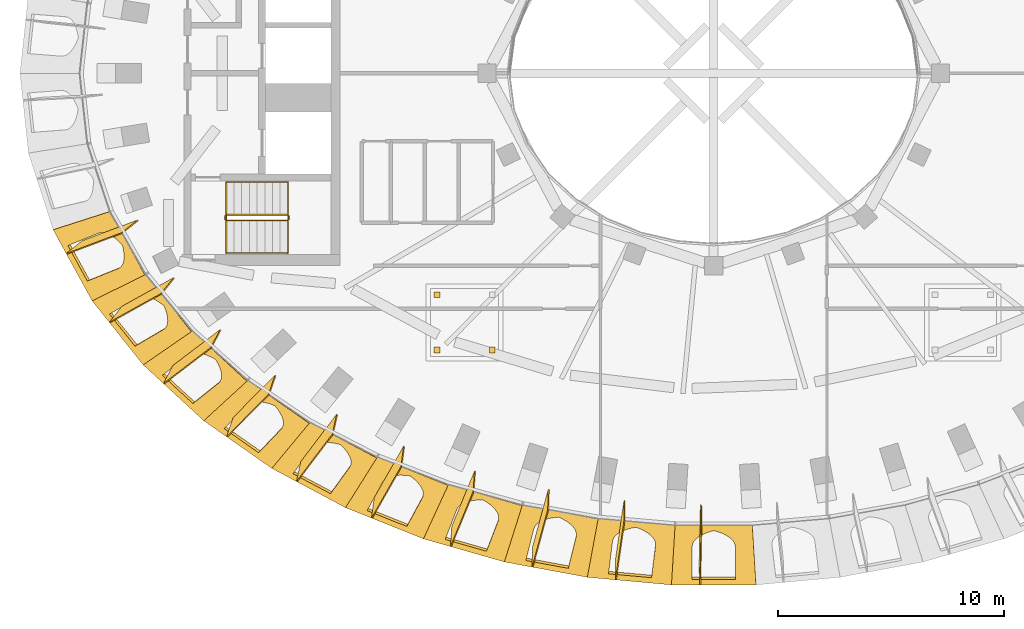
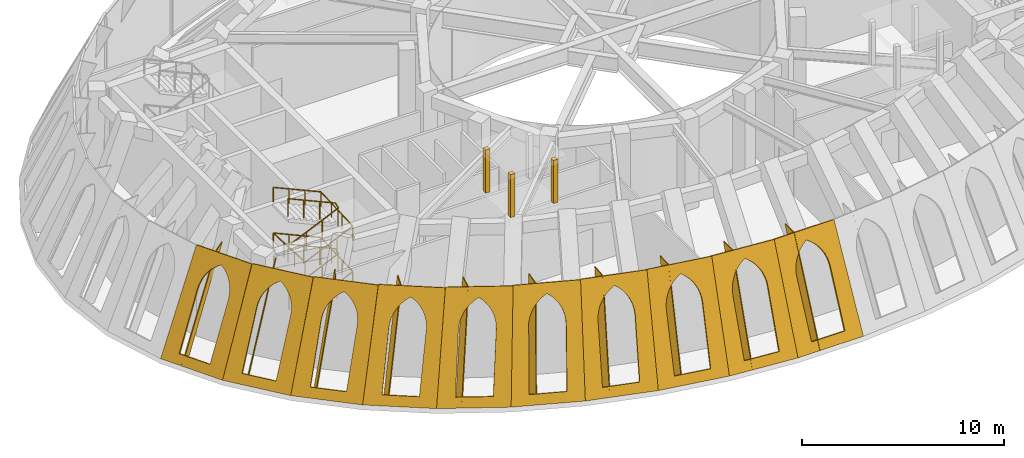
# One storey, part 9 of 13: 23 coverings, 2 railings.
"""IFC4 building model written with IfcOpenShell, lengths in metres."""

from ifc_helpers import new_model, si_unit, direction, frame, origin, origin_2d, place, context, subcontext, project, spatial, polyline, rectangle, outline, extrude, material, layer, layer_set, type_object, element, save


model = new_model("IFC4")

# Units and contexts
model_context = context("Model", 3, precision=1e-05, world=origin(), true_north=direction((0.0, 1.0)))
body_context = subcontext(model_context, "Body", "Model", "MODEL_VIEW")
ifc_project = project(units=[si_unit("LENGTHUNIT", "METRE"), si_unit("AREAUNIT", "SQUARE_METRE"), si_unit("VOLUMEUNIT", "CUBIC_METRE"), si_unit("PLANEANGLEUNIT", "RADIAN"), si_unit("MASSUNIT", "GRAM", prefix="KILO")], contexts=[model_context])

# Site, building, storey
site_placement = place(None, origin())
site = spatial("IfcSite", under=ifc_project, at=site_placement, CompositionType="ELEMENT")
building_placement = place(site_placement, origin())
building = spatial("IfcBuilding", under=site, at=building_placement, Name="Noorbagh Ring Tower", CompositionType="ELEMENT")
storey_placement = place(building_placement, frame((0.0, 0.0, 351.0)))
storey = spatial("IfcBuildingStorey", under=building, at=storey_placement, Name="L77", CompositionType="ELEMENT", Elevation=351.0)

# Railings
ifc_material_1 = material(Name="Stainless steel", Category="steel")
railing_type_1 = type_object("IfcRailingType", Name="CORE-STAIR-GUARD", PredefinedType="GUARDRAIL", material=ifc_material_1)
railing_1_placement = place(storey_placement, frame((-21.580078125, -6.449951171875, 0.0)))
element("IfcRailing", 1, at=railing_1_placement, inside=storey, type_object=railing_type_1, Name="L77 ST2 stair guard", PredefinedType="GUARDRAIL", context=body_context, shape_type="SweptSolid", body=[
    extrude(rectangle(XDim=0.048095703125, YDim=0.048095703125, at=origin_2d()), frame((0.0, 0.0, 1.076171875), z_axis=(0.0, 1.0, 0.0), x_axis=(-1.0, 0.0, 0.0)), (0.0, 0.0, 1.0), 0.14990234375),
    extrude(rectangle(XDim=0.048095703125, YDim=0.048095703125, at=origin_2d()), frame((0.0, 0.14990234375, 1.076171875), z_axis=(0.195046945594, -0.779236333862, 0.595606770449), x_axis=(0.970072785993, 0.242814311512, 0.0)), (0.0, 0.0, 1.0), 0.256591796875),
    extrude(rectangle(XDim=0.048095703125, YDim=0.048095703125, at=origin_2d()), frame((0.050048828125, -0.050048828125, 1.22900390625), z_axis=(0.912149621895, 0.0, 0.409857374312), x_axis=(0.0, 1.0, 0.0)), (0.0, 0.0, 1.0), 2.98193359375),
    extrude(rectangle(XDim=0.048095703125, YDim=0.048095703125, at=origin_2d()), frame((2.77001953125, -0.050048828125, 2.451171875), z_axis=(0.707106781187, 0.707106781187, 0.0), x_axis=(-0.707106781187, 0.707106781187, 0.0)), (0.0, 0.0, 1.0), 0.07080078125),
    extrude(rectangle(XDim=0.048095703125, YDim=0.048095703125, at=origin_2d()), frame((2.820068359375, 0.0, 2.451171875), z_axis=(0.0, 1.0, 0.0), x_axis=(-1.0, 0.0, 0.0)), (0.0, 0.0, 1.0), 0.14990234375),
    extrude(rectangle(XDim=0.048095703125, YDim=0.048095703125, at=origin_2d()), frame((2.820068359375, 0.14990234375, 2.451171875), z_axis=(-0.297155754911, 0.297155754911, 0.90741220768), x_axis=(-0.707106781187, -0.707106781187, 0.0)), (0.0, 0.0, 1.0), 0.16845703125),
    extrude(rectangle(XDim=0.048095703125, YDim=0.048095703125, at=origin_2d()), frame((2.77001953125, 0.199951171875, 2.60400390625), z_axis=(-0.912149621895, 0.0, 0.409857374312), x_axis=(0.0, -1.0, 0.0)), (0.0, 0.0, 1.0), 2.98193359375),
    extrude(rectangle(XDim=0.048095703125, YDim=0.048095703125, at=origin_2d()), frame((0.050048828125, 0.199951171875, 3.826171875), z_axis=(-0.242814311512, -0.970072785993, 0.0), x_axis=(0.970072785993, -0.242814311512, 0.0)), (0.0, 0.0, 1.0), 0.2060546875),
    extrude(rectangle(XDim=0.048095703125, YDim=0.048095703125, at=origin_2d()), frame((0.0, 0.0, 3.826171875), z_axis=(0.0, 1.0, 0.0), x_axis=(-1.0, 0.0, 0.0)), (0.0, 0.0, 1.0), 0.14990234375),
    extrude(rectangle(XDim=0.048095703125, YDim=0.048095703125, at=origin_2d()), frame((0.0, 0.14990234375, 3.826171875), z_axis=(0.195046945594, -0.779236333862, 0.595606770449), x_axis=(0.970072785993, 0.242814311512, 0.0)), (0.0, 0.0, 1.0), 0.256591796875),
    extrude(rectangle(XDim=0.048095703125, YDim=0.048095703125, at=origin_2d()), frame((0.050048828125, -0.050048828125, 3.97900390625), z_axis=(0.912149621895, 0.0, 0.409857374312), x_axis=(0.0, 1.0, 0.0)), (0.0, 0.0, 1.0), 2.98193359375),
    extrude(rectangle(XDim=0.048095703125, YDim=0.048095703125, at=origin_2d()), frame((2.77001953125, -0.050048828125, 5.201171875), z_axis=(0.707106781187, 0.707106781187, 0.0), x_axis=(-0.707106781187, 0.707106781187, 0.0)), (0.0, 0.0, 1.0), 0.07080078125),
    extrude(rectangle(XDim=0.048095703125, YDim=0.048095703125, at=origin_2d()), frame((2.820068359375, 0.0, 5.201171875), z_axis=(0.0, 1.0, 0.0), x_axis=(-1.0, 0.0, 0.0)), (0.0, 0.0, 1.0), 0.14990234375),
    extrude(rectangle(XDim=0.048095703125, YDim=0.048095703125, at=origin_2d()), frame((2.820068359375, 0.14990234375, 5.201171875), z_axis=(-0.297155754911, 0.297155754911, 0.90741220768), x_axis=(-0.707106781187, -0.707106781187, 0.0)), (0.0, 0.0, 1.0), 0.16845703125),
    extrude(rectangle(XDim=0.048095703125, YDim=0.048095703125, at=origin_2d()), frame((2.77001953125, 0.199951171875, 5.35400390625), z_axis=(-0.912149621895, 0.0, 0.409857374312), x_axis=(0.0, -1.0, 0.0)), (0.0, 0.0, 1.0), 2.98193359375),
    extrude(rectangle(XDim=0.0419921875, YDim=0.0419921875, at=origin_2d()), origin(), (0.0, 0.0, 1.0), 1.052001953125),
    extrude(rectangle(XDim=0.0419921875, YDim=0.0419921875, at=origin_2d()), frame((0.956787109375, -0.050048828125, 0.560302734375)), (0.0, 0.0, 1.0), 1.052001953125),
    extrude(rectangle(XDim=0.0419921875, YDim=0.0419921875, at=origin_2d()), frame((1.86328125, -0.050048828125, 0.967529296875)), (0.0, 0.0, 1.0), 1.052001953125),
    extrude(rectangle(XDim=0.0419921875, YDim=0.0419921875, at=origin_2d()), frame((2.77001953125, -0.050048828125, 1.375)), (0.0, 0.0, 1.0), 1.052001953125),
    extrude(rectangle(XDim=0.0419921875, YDim=0.0419921875, at=origin_2d()), frame((1.86328125, 0.199951171875, 1.935302734375)), (0.0, 0.0, 1.0), 1.052001953125),
    extrude(rectangle(XDim=0.0419921875, YDim=0.0419921875, at=origin_2d()), frame((0.956787109375, 0.199951171875, 2.342529296875)), (0.0, 0.0, 1.0), 1.052001953125),
    extrude(rectangle(XDim=0.0419921875, YDim=0.0419921875, at=origin_2d()), frame((0.050048828125, 0.199951171875, 2.75)), (0.0, 0.0, 1.0), 1.052001953125),
    extrude(rectangle(XDim=0.0419921875, YDim=0.0419921875, at=origin_2d()), frame((0.956787109375, -0.050048828125, 3.310302734375)), (0.0, 0.0, 1.0), 1.052001953125),
    extrude(rectangle(XDim=0.0419921875, YDim=0.0419921875, at=origin_2d()), frame((1.86328125, -0.050048828125, 3.717529296875)), (0.0, 0.0, 1.0), 1.052001953125),
    extrude(rectangle(XDim=0.0419921875, YDim=0.0419921875, at=origin_2d()), frame((2.77001953125, -0.050048828125, 4.125)), (0.0, 0.0, 1.0), 1.052001953125),
    extrude(rectangle(XDim=0.0419921875, YDim=0.0419921875, at=origin_2d()), frame((1.86328125, 0.199951171875, 4.685302734375)), (0.0, 0.0, 1.0), 1.052001953125),
    extrude(rectangle(XDim=0.0419921875, YDim=0.0419921875, at=origin_2d()), frame((0.956787109375, 0.199951171875, 5.092529296875)), (0.0, 0.0, 1.0), 1.052001953125),
    extrude(rectangle(XDim=0.0419921875, YDim=0.0419921875, at=origin_2d()), frame((0.050048828125, 0.199951171875, 5.5)), (0.0, 0.0, 1.0), 1.052001953125),
])
ifc_material_2 = material(Name="Stainless steel", Category="steel")
railing_type_2 = type_object("IfcRailingType", Name="CORE-STAIR-HANDRAIL", PredefinedType="HANDRAIL", material=ifc_material_2)
railing_2_placement = place(storey_placement, frame((-21.530029296875, -7.949951171875, 0.15283203125)))
element("IfcRailing", 2, at=railing_2_placement, inside=storey, type_object=railing_type_2, Name="L77 ST2 stair handrail", PredefinedType="HANDRAIL", context=body_context, shape_type="SweptSolid", body=[
    extrude(rectangle(XDim=0.048095703125, YDim=0.048095703125, at=origin_2d()), frame((0.0, 0.0, 0.8759765625), z_axis=(0.912149621895, 0.0, 0.409857374312), x_axis=(0.0, 1.0, 0.0)), (0.0, 0.0, 1.0), 2.98193359375),
    extrude(rectangle(XDim=0.048095703125, YDim=0.048095703125, at=origin_2d()), frame((2.719970703125, 0.0, 2.09814453125), z_axis=(0.0, 0.998824997948, 0.048462598722), x_axis=(-1.0, 0.0, 0.0)), (0.0, 0.0, 1.0), 3.153564453125),
    extrude(rectangle(XDim=0.048095703125, YDim=0.048095703125, at=origin_2d()), frame((2.719970703125, 3.14990234375, 2.2509765625), z_axis=(-0.912149621895, 0.0, 0.409857374312), x_axis=(0.0, -1.0, 0.0)), (0.0, 0.0, 1.0), 2.98193359375),
    extrude(rectangle(XDim=0.048095703125, YDim=0.048095703125, at=origin_2d()), frame((0.0, 3.14990234375, 3.47314453125), z_axis=(0.0, -0.998824997948, 0.048462598722), x_axis=(1.0, 0.0, 0.0)), (0.0, 0.0, 1.0), 3.153564453125),
    extrude(rectangle(XDim=0.048095703125, YDim=0.048095703125, at=origin_2d()), frame((0.0, 0.0, 3.6259765625), z_axis=(0.912149621895, 0.0, 0.409857374312), x_axis=(0.0, 1.0, 0.0)), (0.0, 0.0, 1.0), 2.98193359375),
    extrude(rectangle(XDim=0.048095703125, YDim=0.048095703125, at=origin_2d()), frame((2.719970703125, 0.0, 4.84814453125), z_axis=(0.0, 0.998824997948, 0.048462598722), x_axis=(-1.0, 0.0, 0.0)), (0.0, 0.0, 1.0), 3.153564453125),
    extrude(rectangle(XDim=0.048095703125, YDim=0.048095703125, at=origin_2d()), frame((2.719970703125, 3.14990234375, 5.0009765625), z_axis=(-0.912149621895, 0.0, 0.409857374312), x_axis=(0.0, -1.0, 0.0)), (0.0, 0.0, 1.0), 2.98193359375),
    extrude(rectangle(XDim=0.0419921875, YDim=0.0419921875, at=origin_2d()), origin(), (0.0, 0.0, 1.0), 0.851806640625),
    extrude(rectangle(XDim=0.0419921875, YDim=0.0419921875, at=origin_2d()), frame((0.90673828125, 0.0, 0.407470703125)), (0.0, 0.0, 1.0), 0.851806640625),
    extrude(rectangle(XDim=0.0419921875, YDim=0.0419921875, at=origin_2d()), frame((1.813232421875, 0.0, 0.814697265625)), (0.0, 0.0, 1.0), 0.851806640625),
    extrude(rectangle(XDim=0.0419921875, YDim=0.0419921875, at=origin_2d()), frame((2.719970703125, 0.0, 1.22216796875)), (0.0, 0.0, 1.0), 0.851806640625),
    extrude(rectangle(XDim=0.0419921875, YDim=0.0419921875, at=origin_2d()), frame((2.719970703125, 1.050048828125, 1.273193359375)), (0.0, 0.0, 1.0), 0.851806640625),
    extrude(rectangle(XDim=0.0419921875, YDim=0.0419921875, at=origin_2d()), frame((2.719970703125, 2.099853515625, 1.323974609375)), (0.0, 0.0, 1.0), 0.851806640625),
    extrude(rectangle(XDim=0.0419921875, YDim=0.0419921875, at=origin_2d()), frame((2.719970703125, 3.14990234375, 1.375)), (0.0, 0.0, 1.0), 0.851806640625),
    extrude(rectangle(XDim=0.0419921875, YDim=0.0419921875, at=origin_2d()), frame((1.813232421875, 3.14990234375, 1.782470703125)), (0.0, 0.0, 1.0), 0.851806640625),
    extrude(rectangle(XDim=0.0419921875, YDim=0.0419921875, at=origin_2d()), frame((0.90673828125, 3.14990234375, 2.189697265625)), (0.0, 0.0, 1.0), 0.851806640625),
    extrude(rectangle(XDim=0.0419921875, YDim=0.0419921875, at=origin_2d()), frame((0.0, 3.14990234375, 2.59716796875)), (0.0, 0.0, 1.0), 0.851806640625),
    extrude(rectangle(XDim=0.0419921875, YDim=0.0419921875, at=origin_2d()), frame((0.0, 2.099853515625, 2.648193359375)), (0.0, 0.0, 1.0), 0.851806640625),
    extrude(rectangle(XDim=0.0419921875, YDim=0.0419921875, at=origin_2d()), frame((0.0, 1.050048828125, 2.698974609375)), (0.0, 0.0, 1.0), 0.851806640625),
    extrude(rectangle(XDim=0.0419921875, YDim=0.0419921875, at=origin_2d()), frame((0.0, 0.0, 2.75)), (0.0, 0.0, 1.0), 0.851806640625),
    extrude(rectangle(XDim=0.0419921875, YDim=0.0419921875, at=origin_2d()), frame((0.90673828125, 0.0, 3.157470703125)), (0.0, 0.0, 1.0), 0.851806640625),
    extrude(rectangle(XDim=0.0419921875, YDim=0.0419921875, at=origin_2d()), frame((1.813232421875, 0.0, 3.564697265625)), (0.0, 0.0, 1.0), 0.851806640625),
    extrude(rectangle(XDim=0.0419921875, YDim=0.0419921875, at=origin_2d()), frame((2.719970703125, 0.0, 3.97216796875)), (0.0, 0.0, 1.0), 0.851806640625),
    extrude(rectangle(XDim=0.0419921875, YDim=0.0419921875, at=origin_2d()), frame((2.719970703125, 1.050048828125, 4.023193359375)), (0.0, 0.0, 1.0), 0.851806640625),
    extrude(rectangle(XDim=0.0419921875, YDim=0.0419921875, at=origin_2d()), frame((2.719970703125, 2.099853515625, 4.073974609375)), (0.0, 0.0, 1.0), 0.851806640625),
    extrude(rectangle(XDim=0.0419921875, YDim=0.0419921875, at=origin_2d()), frame((2.719970703125, 3.14990234375, 4.125)), (0.0, 0.0, 1.0), 0.851806640625),
    extrude(rectangle(XDim=0.0419921875, YDim=0.0419921875, at=origin_2d()), frame((1.813232421875, 3.14990234375, 4.532470703125)), (0.0, 0.0, 1.0), 0.851806640625),
    extrude(rectangle(XDim=0.0419921875, YDim=0.0419921875, at=origin_2d()), frame((0.90673828125, 3.14990234375, 4.939697265625)), (0.0, 0.0, 1.0), 0.851806640625),
    extrude(rectangle(XDim=0.0419921875, YDim=0.0419921875, at=origin_2d()), frame((0.0, 3.14990234375, 5.34716796875)), (0.0, 0.0, 1.0), 0.851806640625),
])

# Coverings
ifc_material_3 = material(Name="Aluminium 6063-T6 black anodised", Category="aluminium")
ifc_layer_1 = layer(ifc_material_3, 0.050048828125)
ifc_layer_set_1 = layer_set([ifc_layer_1], Name="Aluminium 6063-T6 black anodised")
covering_type_1 = type_object("IfcCoveringType", Name="STYLE-HEAD-FIN", PredefinedType="CLADDING", material=ifc_layer_set_1)
covering_1_placement = place(storey_placement, frame((-28.603271484375, -7.9599609375, 0.0), z_axis=(-0.616036361535, 0.774273152439, 0.144914756597), x_axis=(0.402490997772, 0.151256781458, 0.902841283269)))
element("IfcCovering", 3, at=covering_1_placement, inside=storey, type_object=covering_type_1, Name="Fin rib F26 L77", ObjectType="FIN", PredefinedType="CLADDING", context=body_context, shape_type="SweptSolid", body=[
    extrude(outline(polyline([(0.0, 0.0), (6.0983811602145135, -4.440892098500626e-16), (6.466525288881687, 0.8210773771916551), (0.3682423930709269, 0.821242691260718), (0.0, 0.0)])), origin(), (0.0, 0.0, -1.0), 0.050048828125),
])
covering_2_placement = place(storey_placement, frame((-26.702392578125, -10.996337890625, 0.0), z_axis=(-0.768891473227, 0.614178761861, 0.177736745998), x_axis=(0.37552312885, 0.20880365143, 0.902985833138)))
element("IfcCovering", 4, at=covering_2_placement, inside=storey, type_object=covering_type_1, Name="Fin rib F27 L77", ObjectType="FIN", PredefinedType="CLADDING", context=body_context, shape_type="SweptSolid", body=[
    extrude(outline(polyline([(0.0, 0.0), (6.098455870785174, 0.0), (6.4562276568206345, 0.8258128830219027), (0.35768010558408087, 0.8256865444868886), (0.0, 0.0)])), origin(), (0.0, 0.0, -1.0), 0.050048828125),
])
covering_3_placement = place(storey_placement, frame((-24.30810546875, -13.703125, 0.0), z_axis=(-0.867003544352, 0.458039608337, 0.196225817048), x_axis=(0.341874475146, 0.260278722895, 0.902982186785)))
element("IfcCovering", 5, at=covering_3_placement, inside=storey, type_object=covering_type_1, Name="Fin rib F28 L77", ObjectType="FIN", PredefinedType="CLADDING", context=body_context, shape_type="SweptSolid", body=[
    extrude(outline(polyline([(0.0, 0.0), (6.098757192707287, 4.440892098500626e-16), (6.44957657847794, 0.8286954899449102), (0.3508829303807348, 0.8289030029709457), (0.0, 0.0)])), origin(), (0.0, 0.0, -1.0), 0.050048828125),
])
covering_4_placement = place(storey_placement, frame((-21.522216796875, -16.051025390625, 0.0), z_axis=(-0.925120102646, 0.321746250518, 0.201574169866), x_axis=(0.302833419231, 0.30507514712, 0.902895937972)))
element("IfcCovering", 6, at=covering_4_placement, inside=storey, type_object=covering_type_1, Name="Fin rib F29 L77", ObjectType="FIN", PredefinedType="CLADDING", context=body_context, shape_type="SweptSolid", body=[
    extrude(outline(polyline([(0.0, 0.0), (6.098811131261089, 0.0), (6.447688800440754, 0.8296757561663219), (0.3488776691796649, 0.8296757561663219), (0.0, 0.0)])), origin(), (0.0, 0.0, -1.0), 0.050048828125),
])
covering_5_placement = place(storey_placement, frame((-18.433837890625, -18.031494140625, 0.0), z_axis=(-0.957713833763, 0.211657550982, 0.194898162465), x_axis=(0.259527449976, 0.343043382291, 0.902755083384)))
element("IfcCovering", 7, at=covering_5_placement, inside=storey, type_object=covering_type_1, Name="Fin rib F30 L77", ObjectType="FIN", PredefinedType="CLADDING", context=body_context, shape_type="SweptSolid", body=[
    extrude(outline(polyline([(0.0, 0.0), (6.099241495955389, 0.0), (6.451032866950743, 0.8282279583935295), (0.35193848301495056, 0.8284817129980697), (0.0, 0.0)])), origin(), (0.0, 0.0, -1.0), 0.050048828125),
])
covering_6_placement = place(storey_placement, frame((-15.11669921875, -19.646728515625, 0.0), z_axis=(-0.975790284167, 0.128414535344, 0.177039623922), x_axis=(0.212994817618, 0.374151956452, 0.902576047295)))
element("IfcCovering", 8, at=covering_6_placement, inside=storey, type_object=covering_type_1, Name="Fin rib F31 L77", ObjectType="FIN", PredefinedType="CLADDING", context=body_context, shape_type="SweptSolid", body=[
    extrude(outline(polyline([(0.0, 0.0), (6.099079217752502, 4.440892098500626e-16), (6.457960054692147, 0.8253815328488652), (0.35888083693964457, 0.8253815328488651), (0.0, 0.0)])), origin(), (0.0, 0.0, -1.0), 0.050048828125),
])
covering_7_placement = place(storey_placement, frame((-11.631103515625, -20.90380859375, 0.0), z_axis=(-0.986451429032, 0.069608197372, 0.148553953226), x_axis=(0.164013677477, 0.398479553068, 0.902393239884)))
element("IfcCovering", 9, at=covering_7_placement, inside=storey, type_object=covering_type_1, Name="Fin rib F32 L77", ObjectType="FIN", PredefinedType="CLADDING", context=body_context, shape_type="SweptSolid", body=[
    extrude(outline(polyline([(0.0, 0.0), (6.099214157066847, 0.0), (6.467439584880934, 0.8214329523617532), (0.36808810036522316, 0.8212087945895205), (0.0, 0.0)])), origin(), (0.0, 0.0, -1.0), 0.050048828125),
])
covering_8_placement = place(storey_placement, frame((-8.0263671875, -21.810791015625, 0.0), z_axis=(-0.993389304307, 0.030331468784, 0.110714461972), x_axis=(0.113257488424, 0.416242185141, 0.90217248053)))
element("IfcCovering", 10, at=covering_8_placement, inside=storey, type_object=covering_type_1, Name="Fin rib F33 L77", ObjectType="FIN", PredefinedType="CLADDING", context=body_context, shape_type="SweptSolid", body=[
    extrude(outline(polyline([(0.0, 0.0), (6.099386404828578, 0.0), (6.476857363999314, 0.8168286219575105), (0.37760023155197847, 0.8170459139305442), (0.0, 0.0)])), origin(), (0.0, 0.0, -1.0), 0.050048828125),
])
covering_9_placement = place(storey_placement, frame((-4.344482421875, -22.374267578125, 0.0), z_axis=(-0.997849595748, 0.005414268018, 0.065321282657), x_axis=(0.061362860039, 0.427458566442, 0.901949983859)))
element("IfcCovering", 11, at=covering_9_placement, inside=storey, type_object=covering_type_1, Name="Fin rib F34 L77", ObjectType="FIN", PredefinedType="CLADDING", context=body_context, shape_type="SweptSolid", body=[
    extrude(outline(polyline([(0.0, 0.0), (6.099252510197249, 4.440892098500626e-16), (6.484223099334205, 0.8134160778127018), (0.3849705891369558, 0.8134160778127013), (0.0, 0.0)])), origin(), (0.0, 0.0, -1.0), 0.050048828125),
])
covering_10_placement = place(storey_placement, frame((-0.622314453125, -22.59912109375, 0.0), z_axis=(-0.999808916359, -0.011933159452, 0.015483232013), x_axis=(0.00880570909, 0.432211929387, 0.901729065509)))
element("IfcCovering", 12, at=covering_10_placement, inside=storey, type_object=covering_type_1, Name="Fin rib F35 L77", ObjectType="FIN", PredefinedType="CLADDING", context=body_context, shape_type="SweptSolid", body=[
    extrude(outline(polyline([(0.0, 0.0), (6.099393080395037, 4.440892098500626e-16), (6.488247016068973, 0.8116232128197156), (0.38895945616450905, 0.8118433527368719), (0.0, 0.0)])), origin(), (0.0, 0.0, -1.0), 0.050048828125),
])
ifc_material_4 = material(Name="Red sandstone jali", Category="masonry")
ifc_layer_2 = layer(ifc_material_4, 0.1201171875)
ifc_layer_set_2 = layer_set([ifc_layer_2], Name="Red sandstone jali")
covering_type_2 = type_object("IfcCoveringType", Name="STYLE-HEAD-SKIN", PredefinedType="CLADDING", material=ifc_layer_set_2)
covering_11_placement = place(storey_placement, frame((-29.177978515625, -6.91259765625, 0.0), z_axis=(-0.79298723872, -0.435163602458, 0.426384660046), x_axis=(0.481091019091, -0.876670651538, 9.099553e-06)))
element("IfcCovering", 13, at=covering_11_placement, inside=storey, type_object=covering_type_2, Name="Head skin panel", ObjectType="HEAD SKIN", PredefinedType="CLADDING", context=body_context, shape_type="SweptSolid", body=[
    extrude(outline(polyline([(0.0, 0.0), (3.584228515625, 0.0), (3.694580078125, 6.080322265625), (0.5029296875, 6.08056640625), (0.0, 0.0)]), holes=[polyline([(0.92626953125, 0.550048828125), (1.099365234375, 3.982666015625), (1.12646484375, 4.2158203125), (1.18359375, 4.4453125), (1.27001953125, 4.66650390625), (1.3837890625, 4.876220703125), (1.523681640625, 5.07080078125), (1.6865234375, 5.24658203125), (1.8701171875, 5.400634765625), (2.071044921875, 5.530517578125), (2.2587890625, 5.400634765625), (2.427001953125, 5.24658203125), (2.572265625, 5.07080078125), (2.6923828125, 4.876220703125), (2.78515625, 4.66650390625), (2.84912109375, 4.4453125), (2.88330078125, 4.2158203125), (2.88671875, 3.982666015625), (2.71337890625, 0.550048828125), (0.92626953125, 0.550048828125)])]), origin(), (0.0, 0.0, -1.0), 0.1201171875),
])
covering_12_placement = place(storey_placement, frame((-27.45361328125, -10.0546875, 0.0), z_axis=(-0.707684878285, -0.564534394014, 0.42483294484), x_axis=(0.623604528127, -0.781739977504, -8.497201e-06)))
element("IfcCovering", 14, at=covering_12_placement, inside=storey, type_object=covering_type_2, Name="Head skin panel", ObjectType="HEAD SKIN", PredefinedType="CLADDING", context=body_context, shape_type="SweptSolid", body=[
    extrude(outline(polyline([(0.0, 0.0), (3.613525390625, 0.0), (3.794189453125, 6.075439453125), (0.558837890625, 6.075439453125), (0.0, 0.0)]), holes=[polyline([(0.934326171875, 0.550048828125), (1.1416015625, 3.95654296875), (1.17138671875, 4.193115234375), (1.23193359375, 4.425537109375), (1.32177734375, 4.64990234375), (1.439453125, 4.862548828125), (1.583251953125, 5.0595703125), (1.750244140625, 5.23779296875), (1.93798828125, 5.39404296875), (2.14306640625, 5.525634765625), (2.33203125, 5.39404296875), (2.500732421875, 5.23779296875), (2.64599609375, 5.0595703125), (2.765869140625, 4.862548828125), (2.857666015625, 4.64990234375), (2.920166015625, 4.425537109375), (2.952392578125, 4.193115234375), (2.953369140625, 3.95654296875), (2.74609375, 0.550048828125), (0.934326171875, 0.550048828125)])]), origin(), (0.0, 0.0, -1.0), 0.1201171875),
])
covering_13_placement = place(storey_placement, frame((-25.2001953125, -12.879638671875, 0.0), z_axis=(-0.614177844166, -0.665388615776, 0.424315408313), x_axis=(0.734819808224, -0.678262375058, 4.672922e-06)))
element("IfcCovering", 15, at=covering_13_placement, inside=storey, type_object=covering_type_2, Name="Head skin panel", ObjectType="HEAD SKIN", PredefinedType="CLADDING", context=body_context, shape_type="SweptSolid", body=[
    extrude(outline(polyline([(0.0, 0.0), (3.642333984375, 0.0), (3.854736328125, 6.073974609375), (0.5771484375, 6.073974609375), (0.0, 0.0)]), holes=[polyline([(0.939208984375, 0.550048828125), (1.1591796875, 3.934326171875), (1.1904296875, 4.173828125), (1.25244140625, 4.409423828125), (1.344482421875, 4.63671875), (1.464599609375, 4.85205078125), (1.611083984375, 5.0517578125), (1.781005859375, 5.232177734375), (1.971923828125, 5.390380859375), (2.18017578125, 5.52392578125), (2.37109375, 5.390380859375), (2.54150390625, 5.232177734375), (2.68798828125, 5.0517578125), (2.808349609375, 4.85205078125), (2.900634765625, 4.63671875), (2.962890625, 4.409423828125), (2.994384765625, 4.173828125), (2.99462890625, 3.934326171875), (2.774658203125, 0.550048828125), (0.939208984375, 0.550048828125)])]), origin(), (0.0, 0.0, -1.0), 0.1201171875),
])
covering_14_placement = place(storey_placement, frame((-22.523681640625, -15.35009765625, 0.0), z_axis=(-0.519054029949, -0.741768028895, 0.424691776825), x_axis=(0.819324661039, -0.573329835021, -9.358509e-06)))
element("IfcCovering", 16, at=covering_14_placement, inside=storey, type_object=covering_type_2, Name="Head skin panel", ObjectType="HEAD SKIN", PredefinedType="CLADDING", context=body_context, shape_type="SweptSolid", body=[
    extrude(outline(polyline([(0.0, 0.0), (3.66748046875, 0.0), (3.879150390625, 6.0751953125), (0.563720703125, 6.074951171875), (0.0, 0.0)]), holes=[polyline([(0.940673828125, 0.550048828125), (1.155517578125, 3.917236328125), (1.18701171875, 4.15966796875), (1.24951171875, 4.397705078125), (1.34228515625, 4.627685546875), (1.463623046875, 4.845703125), (1.611328125, 5.047607421875), (1.783203125, 5.22998046875), (1.97607421875, 5.39013671875), (2.1865234375, 5.525146484375), (2.3798828125, 5.39013671875), (2.55224609375, 5.22998046875), (2.70068359375, 5.047607421875), (2.82275390625, 4.845703125), (2.916259765625, 4.627685546875), (2.9794921875, 4.397705078125), (3.01171875, 4.15966796875), (3.01220703125, 3.917236328125), (2.797119140625, 0.550048828125), (0.940673828125, 0.550048828125)])]), origin(), (0.0, 0.0, -1.0), 0.1201171875),
])
covering_15_placement = place(storey_placement, frame((-19.518798828125, -17.452880859375, 0.0), z_axis=(-0.425726914911, -0.798418517882, 0.425775133403), x_axis=(0.882396090975, -0.470507320464, -4.678332e-06)))
element("IfcCovering", 17, at=covering_15_placement, inside=storey, type_object=covering_type_2, Name="Head skin panel", ObjectType="HEAD SKIN", PredefinedType="CLADDING", context=body_context, shape_type="SweptSolid", body=[
    extrude(outline(polyline([(0.0, 0.0), (3.688720703125, 0.0), (3.873046875, 6.07861328125), (0.526611328125, 6.078369140625), (0.0, 0.0)]), holes=[polyline([(0.939697265625, 0.550048828125), (1.1357421875, 3.905517578125), (1.166259765625, 4.150146484375), (1.22802734375, 4.390625), (1.3203125, 4.622802734375), (1.441650390625, 4.842529296875), (1.58984375, 5.04638671875), (1.76220703125, 5.230712890625), (1.955810546875, 5.392333984375), (2.167724609375, 5.528564453125), (2.363525390625, 5.392333984375), (2.538330078125, 5.230712890625), (2.689208984375, 5.04638671875), (2.8134765625, 4.842529296875), (2.908935546875, 4.622802734375), (2.974365234375, 4.390625), (3.008056640625, 4.150146484375), (3.009765625, 3.905517578125), (2.8134765625, 0.550048828125), (0.939697265625, 0.550048828125)])]), origin(), (0.0, 0.0, -1.0), 0.1201171875),
])
covering_16_placement = place(storey_placement, frame((-16.263916015625, -19.1884765625, 0.0), z_axis=(-0.335409809073, -0.839647546596, 0.427191125228), x_axis=(0.928649812908, -0.370957578259, 1.0852207e-05)))
element("IfcCovering", 18, at=covering_16_placement, inside=storey, type_object=covering_type_2, Name="Head skin panel", ObjectType="HEAD SKIN", PredefinedType="CLADDING", context=body_context, shape_type="SweptSolid", body=[
    extrude(outline(polyline([(0.0, 0.0), (3.70556640625, 0.0), (3.842529296875, 6.0830078125), (0.471923828125, 6.0830078125), (0.0, 0.0)]), holes=[polyline([(0.936279296875, 0.550048828125), (1.103759765625, 3.898193359375), (1.132080078125, 4.144775390625), (1.1923828125, 4.38671875), (1.28369140625, 4.62060546875), (1.40380859375, 4.842041015625), (1.55126953125, 5.04736328125), (1.723388671875, 5.233154296875), (1.9169921875, 5.39599609375), (2.12939453125, 5.532958984375), (2.327880859375, 5.39599609375), (2.50537109375, 5.233154296875), (2.65869140625, 5.04736328125), (2.78564453125, 4.842041015625), (2.8837890625, 4.62060546875), (2.951416015625, 4.38671875), (2.987548828125, 4.144775390625), (2.991455078125, 3.898193359375), (2.82421875, 0.550048828125), (0.936279296875, 0.550048828125)])]), origin(), (0.0, 0.0, -1.0), 0.1201171875),
])
covering_17_placement = place(storey_placement, frame((-12.82275390625, -20.56298828125, 0.0), z_axis=(-0.248362673874, -0.868633167778, 0.428710160903), x_axis=(0.961470076895, -0.274909605518, -5.417056e-06)))
element("IfcCovering", 19, at=covering_17_placement, inside=storey, type_object=covering_type_2, Name="Head skin panel", ObjectType="HEAD SKIN", PredefinedType="CLADDING", context=body_context, shape_type="SweptSolid", body=[
    extrude(outline(polyline([(0.0, 0.0), (3.71826171875, 0.0), (3.79248046875, 6.087890625), (0.4033203125, 6.087890625), (0.0, 0.0)]), holes=[polyline([(0.931640625, 0.550048828125), (1.062744140625, 3.894287109375), (1.0888671875, 4.14208984375), (1.146728515625, 4.385498046875), (1.23583984375, 4.62060546875), (1.354248046875, 4.84326171875), (1.50048828125, 5.0498046875), (1.67138671875, 5.236328125), (1.864501953125, 5.39990234375), (2.076416015625, 5.537841796875), (2.27734375, 5.39990234375), (2.45751953125, 5.236328125), (2.614013671875, 5.0498046875), (2.74365234375, 4.84326171875), (2.8447265625, 4.62060546875), (2.915283203125, 4.385498046875), (2.9541015625, 4.14208984375), (2.960693359375, 3.894287109375), (2.82958984375, 0.550048828125), (0.931640625, 0.550048828125)])]), origin(), (0.0, 0.0, -1.0), 0.1201171875),
])
covering_18_placement = place(storey_placement, frame((-9.247802734375, -21.585205078125, 0.0), z_axis=(-0.163937488205, -0.887742214985, 0.430160737044), x_axis=(0.983372667917, -0.181598997746, -3.373973e-06)))
element("IfcCovering", 20, at=covering_18_placement, inside=storey, type_object=covering_type_2, Name="Head skin panel", ObjectType="HEAD SKIN", PredefinedType="CLADDING", context=body_context, shape_type="SweptSolid", body=[
    extrude(outline(polyline([(0.0, 0.0), (3.7265625, 0.0), (3.72802734375, 6.092529296875), (0.32666015625, 6.092529296875), (0.0, 0.0)]), holes=[polyline([(0.92578125, 0.550048828125), (1.015625, 3.892822265625), (1.038818359375, 4.141357421875), (1.093994140625, 4.3857421875), (1.180419921875, 4.621826171875), (1.296630859375, 4.84521484375), (1.440673828125, 5.052490234375), (1.610107421875, 5.23974609375), (1.8017578125, 5.404052734375), (2.0126953125, 5.54248046875), (2.216064453125, 5.404052734375), (2.39892578125, 5.23974609375), (2.558349609375, 5.052490234375), (2.691162109375, 4.84521484375), (2.79541015625, 4.621826171875), (2.869140625, 4.3857421875), (2.9111328125, 4.141357421875), (2.920654296875, 3.892822265625), (2.83056640625, 0.550048828125), (0.92578125, 0.550048828125)])]), origin(), (0.0, 0.0, -1.0), 0.1201171875),
])
covering_19_placement = place(storey_placement, frame((-5.583251953125, -22.261962890625, 0.0), z_axis=(-0.081459780682, -0.898494286739, 0.431361009861), x_axis=(0.995914391033, -0.090302410131, -2.1401355e-05)))
element("IfcCovering", 21, at=covering_19_placement, inside=storey, type_object=covering_type_2, Name="Head skin panel", ObjectType="HEAD SKIN", PredefinedType="CLADDING", context=body_context, shape_type="SweptSolid", body=[
    extrude(outline(polyline([(0.0, 0.0), (3.73193359375, 0.0), (3.65380859375, 6.096435546875), (0.24462890625, 6.09619140625), (0.0, 0.0)]), holes=[polyline([(0.918701171875, 0.550048828125), (0.964599609375, 3.89306640625), (0.984375, 4.14208984375), (1.036376953125, 4.38720703125), (1.119873046875, 4.62353515625), (1.2333984375, 4.84765625), (1.375, 5.05517578125), (1.542236328125, 5.242919921875), (1.732421875, 5.40771484375), (1.94189453125, 5.54638671875), (2.147705078125, 5.40771484375), (2.3330078125, 5.242919921875), (2.4951171875, 5.05517578125), (2.631103515625, 4.84765625), (2.73828125, 4.62353515625), (2.8154296875, 4.38720703125), (2.86083984375, 4.14208984375), (2.873779296875, 3.89306640625), (2.827880859375, 0.550048828125), (0.918701171875, 0.550048828125)])]), origin(), (0.0, 0.0, -1.0), 0.1201171875),
])
covering_20_placement = place(storey_placement, frame((-1.86669921875, -22.59912109375, 0.0), z_axis=(0.0, -0.901764026007, 0.432228691088), x_axis=(1.0, 0.0, 0.0)))
element("IfcCovering", 22, at=covering_20_placement, inside=storey, type_object=covering_type_2, Name="Head skin panel", ObjectType="HEAD SKIN", PredefinedType="CLADDING", context=body_context, shape_type="SweptSolid", body=[
    extrude(outline(polyline([(0.0, 0.0), (3.7333984375, 0.0), (3.572509765625, 6.09912109375), (0.160888671875, 6.09912109375), (0.0, 0.0)]), holes=[polyline([(0.911376953125, 0.550048828125), (0.911376953125, 3.89453125), (0.927734375, 4.14404296875), (0.9765625, 4.38916015625), (1.056884765625, 4.625732421875), (1.16748046875, 4.849853515625), (1.30615234375, 5.0576171875), (1.470947265625, 5.24560546875), (1.658935546875, 5.410400390625), (1.86669921875, 5.54931640625), (2.074462890625, 5.410400390625), (2.262451171875, 5.24560546875), (2.42724609375, 5.0576171875), (2.56591796875, 4.849853515625), (2.676513671875, 4.625732421875), (2.7568359375, 4.38916015625), (2.8056640625, 4.14404296875), (2.822021484375, 3.89453125), (2.822021484375, 0.550048828125), (0.911376953125, 0.550048828125)])]), origin(), (0.0, 0.0, -1.0), 0.1201171875),
])
ifc_material_5 = material(Name="Red sandstone cladding", Category="masonry")
covering_type_3 = type_object("IfcCoveringType", Name="STYLE-KIOSK-POST", PredefinedType="CLADDING", material=ifc_material_5)
for number, where, z_axis, x_axis, name in (
    (23, (-12.22509765625, -12.22509765625, 5.89990234375), (0.0, 0.0, 1.0), (1.0, 0.0, 0.0), "Chhatri post"),
    (24, (-9.77490234375, -12.22509765625, 5.89990234375), (0.0, 0.0, 1.0), (1.0, 0.0, 0.0), "Chhatri post"),
    (25, (-12.22509765625, -9.77490234375, 5.89990234375), (0.0, 0.0, 1.0), (1.0, 0.0, 0.0), "Chhatri post"),
):
    element("IfcCovering", number, at=place(storey_placement, frame(where, z_axis=z_axis, x_axis=x_axis)), inside=storey, type_object=covering_type_3, Name=name, ObjectType="KIOSK", PredefinedType="CLADDING", context=body_context, shape_type="SweptSolid", body=[
        extrude(rectangle(XDim=0.25, YDim=0.25, at=origin_2d()), origin(), (0.0, 0.0, 1.0), 2.60009765625),
    ])

save(model, "model.ifc")
